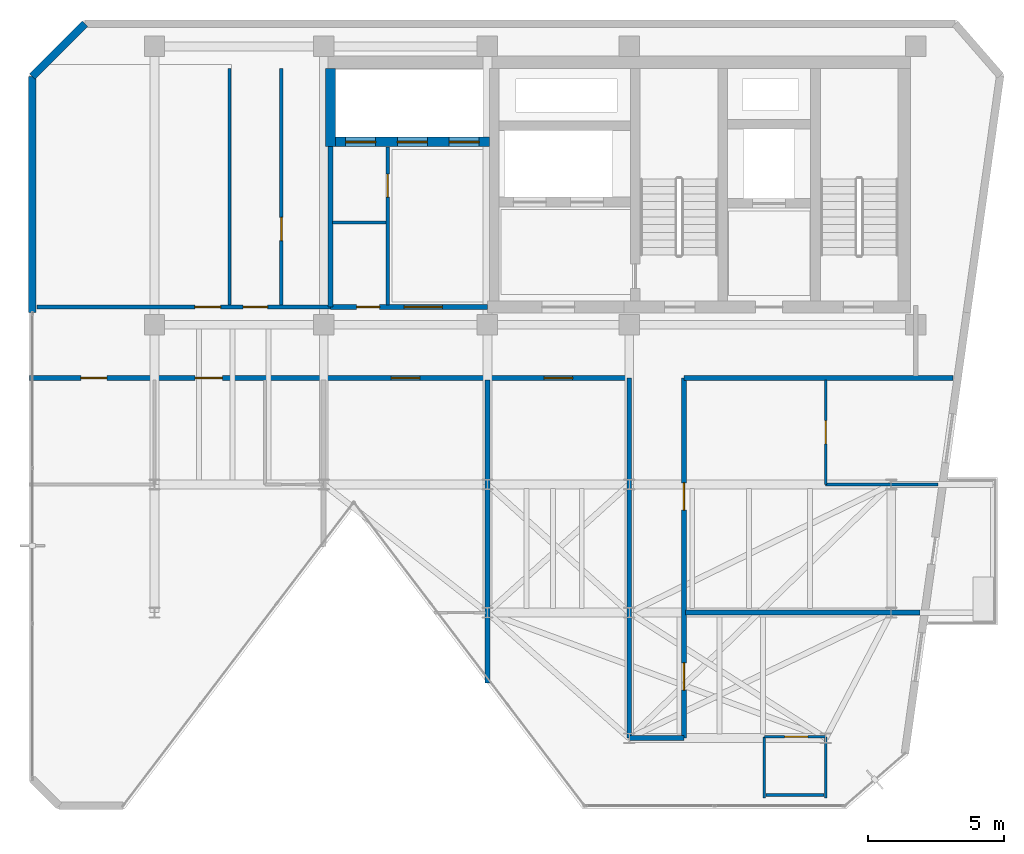
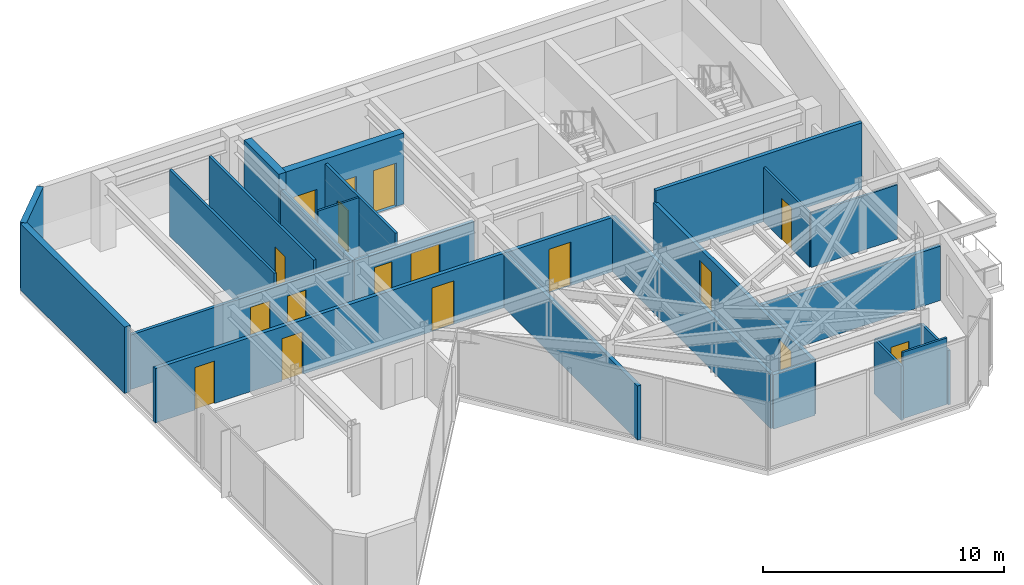
# One storey, part 13 of 16: 24 walls, 17 doors, 17 openings.
"""IFC4 building model written with IfcOpenShell, lengths in metres."""

from ifc_helpers import new_model, si_unit, direction, frame, frame_2d, origin, place, context, subcontext, project, spatial, rectangle, extrude, material, layer, layer_set, type_object, element, fill, save


model = new_model("IFC4")

# Units and contexts
model_context = context("Model", 3, precision=1e-05, world=origin(), true_north=direction((0.0, 1.0)))
body_context = subcontext(model_context, "Body", "Model", "MODEL_VIEW")
ifc_project = project(units=[si_unit("LENGTHUNIT", "METRE"), si_unit("AREAUNIT", "SQUARE_METRE"), si_unit("VOLUMEUNIT", "CUBIC_METRE"), si_unit("PLANEANGLEUNIT", "RADIAN"), si_unit("MASSUNIT", "GRAM", prefix="KILO")], contexts=[model_context])

# Site, building, storey
site_placement = place(None, origin())
site = spatial("IfcSite", under=ifc_project, at=site_placement, CompositionType="ELEMENT")
building_placement = place(site_placement, origin())
building = spatial("IfcBuilding", under=site, at=building_placement, Name="Kravanh Interchange Tower", CompositionType="ELEMENT")
storey_placement = place(building_placement, frame((0.0, 0.0, 303.89990234375)))
storey = spatial("IfcBuildingStorey", under=building, at=storey_placement, Name="L75", CompositionType="ELEMENT", Elevation=303.89990234375)

# Wall, opening, door
ifc_material_1 = material(Name="Double Acoustic Gypsum Board and Mineral Wool")
ifc_layer_1 = layer(ifc_material_1, 0.1201171875)
ifc_layer_set_1 = layer_set([ifc_layer_1], Name="Acoustic Office Drywall Partition 120mm")
wall_type_1 = type_object("IfcWallType", Name="Acoustic Office Drywall Partition 120mm", PredefinedType="PARTITIONING", material=ifc_layer_set_1)
wall_1_placement = place(storey_placement, frame((47.14990234375, 38.068115234375, 0.0), z_axis=(0.0, 0.0, 1.0), x_axis=(0.0, 1.0, 0.0)))
wall_1 = element("IfcWall", 1, at=wall_1_placement, inside=storey, type_object=wall_type_1, Name="L75 Interior Partition 2", PredefinedType="PARTITIONING", context=body_context, shape_type="SweptSolid", body=[
    extrude(rectangle(XDim=5.798828125, YDim=0.1201171875, at=frame_2d((2.8994140625, 0.0))), origin(), (0.0, 0.0, 1.0), 3.364990234375),
])
opening_1_placement = place(wall_1_placement, frame((3.95703125, 0.0, 0.0)))
opening_1 = element("IfcOpeningElement", 2, at=opening_1_placement, cuts=wall_1, Name="Opening D-85", PredefinedType="OPENING", context=body_context, shape_type="SweptSolid", body=[
    extrude(rectangle(XDim=0.85009765625, YDim=2.10009765625, at=frame_2d((0.425048828125, 1.050048828125))), frame((0.0, 0.070068359375, 0.0), z_axis=(0.0, -1.0, 0.0), x_axis=(1.0, 0.0, 0.0)), (0.0, 0.0, 1.0), 0.14013671875),
])
ifc_material_2 = material(Name="Engineered Teak Veneer Timber", Category="wood")
door_type_1 = type_object("IfcDoorType", Name="En-Suite Timber Door 850x2100", OperationType="NOTDEFINED", PredefinedType="DOOR", material=ifc_material_2)
door_1_placement = place(opening_1_placement, origin())
door_1 = element("IfcDoor", 3, at=door_1_placement, inside=storey, type_object=door_type_1, Name="L75 Core Valet Store Door", OperationType="SINGLE_SWING_LEFT", OverallHeight=2.10009765625, OverallWidth=0.85009765625, PredefinedType="DOOR", context=body_context, shape_type="SweptSolid", body=[
    extrude(rectangle(XDim=0.85009765625, YDim=2.10009765625, at=frame_2d((0.425048828125, 1.050048828125))), frame((0.0, 0.02490234375, 0.0), z_axis=(0.0, -1.0, 0.0), x_axis=(1.0, 0.0, 0.0)), (0.0, 0.0, 1.0), 0.050048828125),
])
fill(opening_1, door_1)

# Wall
wall_2_placement = place(storey_placement, frame((41.35009765625, 38.068115234375, 0.0), z_axis=(0.0, 0.0, 1.0), x_axis=(0.0, 1.0, 0.0)))
element("IfcWall", 4, at=wall_2_placement, inside=storey, type_object=wall_type_1, Name="L75 Interior Partition 7", PredefinedType="PARTITIONING", context=body_context, shape_type="SweptSolid", body=[
    extrude(rectangle(XDim=8.681884765625, YDim=0.1201171875, at=frame_2d((4.3408203125, 0.0))), origin(), (0.0, 0.0, 1.0), 3.364990234375),
])

# Wall, opening, door
wall_3_placement = place(storey_placement, frame((43.25, 38.068115234375, 0.0), z_axis=(0.0, 0.0, 1.0), x_axis=(0.0, 1.0, 0.0)))
wall_3 = element("IfcWall", 5, at=wall_3_placement, inside=storey, type_object=wall_type_1, Name="L75 Interior Partition 8", PredefinedType="PARTITIONING", context=body_context, shape_type="SweptSolid", body=[
    extrude(rectangle(XDim=8.681884765625, YDim=0.1201171875, at=frame_2d((4.3408203125, 0.0))), origin(), (0.0, 0.0, 1.0), 3.364990234375),
])
opening_2_placement = place(wall_3_placement, frame((2.365966796875, 0.0, 0.0)))
opening_2 = element("IfcOpeningElement", 6, at=opening_2_placement, cuts=wall_3, Name="Opening D-85", PredefinedType="OPENING", context=body_context, shape_type="SweptSolid", body=[
    extrude(rectangle(XDim=0.85009765625, YDim=2.10009765625, at=frame_2d((0.425048828125, 1.050048828125))), frame((0.0, 0.070068359375, 0.0), z_axis=(0.0, -1.0, 0.0), x_axis=(1.0, 0.0, 0.0)), (0.0, 0.0, 1.0), 0.14013671875),
])
door_2_placement = place(opening_2_placement, origin())
door_2 = element("IfcDoor", 7, at=door_2_placement, inside=storey, type_object=door_type_1, Name="L75 Pantry Store Inner Door", OperationType="SINGLE_SWING_RIGHT", OverallHeight=2.10009765625, OverallWidth=0.85009765625, PredefinedType="DOOR", context=body_context, shape_type="SweptSolid", body=[
    extrude(rectangle(XDim=0.85009765625, YDim=2.10009765625, at=frame_2d((0.425048828125, 1.050048828125))), frame((0.0, 0.02490234375, 0.0), z_axis=(0.0, -1.0, 0.0), x_axis=(1.0, 0.0, 0.0)), (0.0, 0.0, 1.0), 0.050048828125),
])
fill(opening_2, door_2)

# Wall, openings, doors
ifc_material_3 = material(Name="Concrete C60/75", Category="concrete")
ifc_layer_2 = layer(ifc_material_3, 0.35009765625)
ifc_layer_set_2 = layer_set([ifc_layer_2], Name="Core Shear Wall Concrete C60/75 350mm")
wall_type_2 = type_object("IfcWallType", Name="Core Shear Wall Concrete C60/75 350mm", PredefinedType="SHEAR", material=ifc_layer_set_2)
wall_4_placement = place(storey_placement, frame((45.22509765625, 44.050048828125, 0.0), z_axis=(0.0, 0.0, 1.0), x_axis=(1.0, 0.0, 0.0)))
wall_4 = element("IfcWall", 8, at=wall_4_placement, inside=storey, type_object=wall_type_2, Name="L75 High-Rise Lift Shaft South Wall", PredefinedType="SHEAR", context=body_context, shape_type="SweptSolid", body=[
    extrude(rectangle(XDim=5.64990234375, YDim=0.35009765625, at=frame_2d((2.824951171875, 0.0))), origin(), (0.0, 0.0, 1.0), 3.60009765625),
])
opening_3_placement = place(wall_4_placement, frame((0.375, 0.0, 0.0)))
opening_3 = element("IfcOpeningElement", 9, at=opening_3_placement, cuts=wall_4, Name="Opening LD01", PredefinedType="OPENING", context=body_context, shape_type="SweptSolid", body=[
    extrude(rectangle(XDim=1.10009765625, YDim=2.199951171875, at=frame_2d((0.550048828125, 1.10009765625))), frame((0.0, 0.18505859375, 0.0), z_axis=(0.0, -1.0, 0.0), x_axis=(1.0, 0.0, 0.0)), (0.0, 0.0, 1.0), 0.3701171875),
])
opening_4_placement = place(wall_4_placement, frame((2.27490234375, 0.0, 0.0)))
opening_4 = element("IfcOpeningElement", 10, at=opening_4_placement, cuts=wall_4, Name="Opening LD01", PredefinedType="OPENING", context=body_context, shape_type="SweptSolid", body=[
    extrude(rectangle(XDim=1.10009765625, YDim=2.199951171875, at=frame_2d((0.550048828125, 1.10009765625))), frame((0.0, 0.18505859375, 0.0), z_axis=(0.0, -1.0, 0.0), x_axis=(1.0, 0.0, 0.0)), (0.0, 0.0, 1.0), 0.3701171875),
])
opening_5_placement = place(wall_4_placement, frame((4.175048828125, 0.0, 0.0)))
opening_5 = element("IfcOpeningElement", 11, at=opening_5_placement, cuts=wall_4, Name="Opening LD01", PredefinedType="OPENING", context=body_context, shape_type="SweptSolid", body=[
    extrude(rectangle(XDim=1.10009765625, YDim=2.199951171875, at=frame_2d((0.550048828125, 1.10009765625))), frame((0.0, 0.18505859375, 0.0), z_axis=(0.0, -1.0, 0.0), x_axis=(1.0, 0.0, 0.0)), (0.0, 0.0, 1.0), 0.3701171875),
])
ifc_material_4 = material(Name="Stainless Steel 304", Category="steel")
door_type_2 = type_object("IfcDoorType", Name="Passenger Lift Sliding Landing Door 1100x2200", OperationType="DOUBLE_DOOR_SLIDING", PredefinedType="DOOR", material=ifc_material_4)
door_3_placement = place(opening_3_placement, origin())
door_3 = element("IfcDoor", 12, at=door_3_placement, inside=storey, type_object=door_type_2, Name="L75 Lift LP-H1 Landing Door", OperationType="DOUBLE_DOOR_SLIDING", OverallHeight=2.199951171875, OverallWidth=1.10009765625, PredefinedType="DOOR", context=body_context, shape_type="SweptSolid", body=[
    extrude(rectangle(XDim=1.10009765625, YDim=2.199951171875, at=frame_2d((0.550048828125, 1.10009765625))), frame((0.0, 0.02490234375, 0.0), z_axis=(0.0, -1.0, 0.0), x_axis=(1.0, 0.0, 0.0)), (0.0, 0.0, 1.0), 0.050048828125),
])
fill(opening_3, door_3)
door_4_placement = place(opening_4_placement, origin())
door_4 = element("IfcDoor", 13, at=door_4_placement, inside=storey, type_object=door_type_2, Name="L75 Lift LP-H2 Landing Door", OperationType="DOUBLE_DOOR_SLIDING", OverallHeight=2.199951171875, OverallWidth=1.10009765625, PredefinedType="DOOR", context=body_context, shape_type="SweptSolid", body=[
    extrude(rectangle(XDim=1.10009765625, YDim=2.199951171875, at=frame_2d((0.550048828125, 1.10009765625))), frame((0.0, 0.02490234375, 0.0), z_axis=(0.0, -1.0, 0.0), x_axis=(1.0, 0.0, 0.0)), (0.0, 0.0, 1.0), 0.050048828125),
])
fill(opening_4, door_4)
door_5_placement = place(opening_5_placement, origin())
door_5 = element("IfcDoor", 14, at=door_5_placement, inside=storey, type_object=door_type_2, Name="L75 Lift LP-H3 Landing Door", OperationType="DOUBLE_DOOR_SLIDING", OverallHeight=2.199951171875, OverallWidth=1.10009765625, PredefinedType="DOOR", context=body_context, shape_type="SweptSolid", body=[
    extrude(rectangle(XDim=1.10009765625, YDim=2.199951171875, at=frame_2d((0.550048828125, 1.10009765625))), frame((0.0, 0.02490234375, 0.0), z_axis=(0.0, -1.0, 0.0), x_axis=(1.0, 0.0, 0.0)), (0.0, 0.0, 1.0), 0.050048828125),
])
fill(opening_5, door_5)

# Walls
wall_5_placement = place(storey_placement, frame((45.050048828125, 43.875, 0.0), z_axis=(0.0, 0.0, 1.0), x_axis=(0.0, 1.0, 0.0)))
element("IfcWall", 15, at=wall_5_placement, inside=storey, type_object=wall_type_2, Name="L75 High-Rise Lift Shaft West Wall", PredefinedType="SHEAR", context=body_context, shape_type="SweptSolid", body=[
    extrude(rectangle(XDim=2.875, YDim=0.35009765625, at=frame_2d((1.4375, 0.0))), origin(), (0.0, 0.0, 1.0), 3.60009765625),
])
ifc_material_5 = material(Name="Moisture-Resistant Gypsum Board and Mineral Wool")
ifc_layer_3 = layer(ifc_material_5, 0.10009765625)
ifc_layer_set_3 = layer_set([ifc_layer_3], Name="En-Suite Moisture-Resistant Partition 100mm")
wall_type_3 = type_object("IfcWallType", Name="En-Suite Moisture-Resistant Partition 100mm", PredefinedType="PARTITIONING", material=ifc_layer_set_3)
wall_6_placement = place(storey_placement, frame((45.117919921875, 41.10009765625, 0.0), z_axis=(0.0, 0.0, 1.0), x_axis=(1.0, 0.0, 0.0)))
element("IfcWall", 16, at=wall_6_placement, inside=storey, type_object=wall_type_3, Name="L75 Interior Partition 3", PredefinedType="PARTITIONING", context=body_context, shape_type="SweptSolid", body=[
    extrude(rectangle(XDim=1.964111328125, YDim=0.10009765625, at=frame_2d((0.98193359375, 0.0))), origin(), (0.0, 0.0, 1.0), 3.364990234375),
])

# Wall, opening, door
wall_7_placement = place(storey_placement, frame((60.949951171875, 22.25, 0.0), z_axis=(0.0, 0.0, 1.0), x_axis=(1.0, 0.0, 0.0)))
wall_7 = element("IfcWall", 17, at=wall_7_placement, inside=storey, type_object=wall_type_3, Name="L75 Interior Partition 18", PredefinedType="PARTITIONING", context=body_context, shape_type="SweptSolid", body=[
    extrude(rectangle(XDim=2.25, YDim=0.10009765625, at=frame_2d((1.125, 0.0))), origin(), (0.0, 0.0, 1.0), 2.754150390625),
])
opening_6_placement = place(wall_7_placement, frame((0.741455078125, 0.0, 0.0)))
opening_6 = element("IfcOpeningElement", 18, at=opening_6_placement, cuts=wall_7, Name="Opening D-85", PredefinedType="OPENING", context=body_context, shape_type="SweptSolid", body=[
    extrude(rectangle(XDim=0.85009765625, YDim=2.10009765625, at=frame_2d((0.425048828125, 1.050048828125))), frame((0.0, 0.06005859375, 0.0), z_axis=(0.0, -1.0, 0.0), x_axis=(1.0, 0.0, 0.0)), (0.0, 0.0, 1.0), 0.1201171875),
])
door_6_placement = place(opening_6_placement, origin())
door_6 = element("IfcDoor", 19, at=door_6_placement, inside=storey, type_object=door_type_1, Name="L75 En-suite Bathroom Door", OperationType="SINGLE_SWING_LEFT", OverallHeight=2.10009765625, OverallWidth=0.85009765625, PredefinedType="DOOR", context=body_context, shape_type="SweptSolid", body=[
    extrude(rectangle(XDim=0.85009765625, YDim=2.10009765625, at=frame_2d((0.425048828125, 1.050048828125))), frame((0.0, 0.02490234375, 0.0), z_axis=(0.0, -1.0, 0.0), x_axis=(1.0, 0.0, 0.0)), (0.0, 0.0, 1.0), 0.050048828125),
])
fill(opening_6, door_6)

# Walls
for number, where, z_axis, x_axis, name in (
    (20, (60.949951171875, 20.0, 0.0), (0.0, 0.0, 1.0), (0.0, 1.0, 0.0), "L75 Interior Partition 19"),
    (21, (63.199951171875, 20.0, 0.0), (0.0, 0.0, 1.0), (0.0, 1.0, 0.0), "L75 Interior Partition 20"),
):
    element("IfcWall", number, at=place(storey_placement, frame(where, z_axis=z_axis, x_axis=x_axis)), inside=storey, type_object=wall_type_3, Name=name, PredefinedType="PARTITIONING", context=body_context, shape_type="SweptSolid", body=[
        extrude(rectangle(XDim=2.25, YDim=0.10009765625, at=frame_2d((1.125, 0.0))), origin(), (0.0, 0.0, 1.0), 2.754150390625),
    ])
wall_8_placement = place(storey_placement, frame((61.01806640625, 20.1201171875, 0.0), z_axis=(0.0, 0.0, 1.0), x_axis=(1.0, 0.0, 0.0)))
element("IfcWall", 22, at=wall_8_placement, inside=storey, type_object=wall_type_3, Name="L75 Interior Partition 21", PredefinedType="PARTITIONING", context=body_context, shape_type="SweptSolid", body=[
    extrude(rectangle(XDim=2.114013671875, YDim=0.10009765625, at=frame_2d((1.05712890625, 0.0))), origin(), (0.0, 0.0, 1.0), 3.364990234375),
])
wall_9_placement = place(storey_placement, frame((63.199951171875, 31.5, 0.0), z_axis=(0.0, 0.0, 1.0), x_axis=(1.0, 0.0, 0.0)))
element("IfcWall", 23, at=wall_9_placement, inside=storey, type_object=wall_type_3, Name="L75 Interior Partition 22", PredefinedType="PARTITIONING", context=body_context, shape_type="SweptSolid", body=[
    extrude(rectangle(XDim=4.123046875, YDim=0.10009765625, at=frame_2d((2.0615234375, 0.0))), origin(), (0.0, 0.0, 1.0), 2.754150390625),
])

# Wall, opening, door
wall_10_placement = place(storey_placement, frame((63.199951171875, 31.5, 0.0), z_axis=(0.0, 0.0, 1.0), x_axis=(0.0, 1.0, 0.0)))
wall_10 = element("IfcWall", 24, at=wall_10_placement, inside=storey, type_object=wall_type_3, Name="L75 Interior Partition 23", PredefinedType="PARTITIONING", context=body_context, shape_type="SweptSolid", body=[
    extrude(rectangle(XDim=3.83203125, YDim=0.10009765625, at=frame_2d((1.916015625, 0.0))), origin(), (0.0, 0.0, 1.0), 2.754150390625),
])
opening_7_placement = place(wall_10_placement, frame((1.48486328125, 0.0, 0.0)))
opening_7 = element("IfcOpeningElement", 25, at=opening_7_placement, cuts=wall_10, Name="Opening D-85", PredefinedType="OPENING", context=body_context, shape_type="SweptSolid", body=[
    extrude(rectangle(XDim=0.85009765625, YDim=2.10009765625, at=frame_2d((0.425048828125, 1.050048828125))), frame((0.0, 0.06005859375, 0.0), z_axis=(0.0, -1.0, 0.0), x_axis=(1.0, 0.0, 0.0)), (0.0, 0.0, 1.0), 0.1201171875),
])
door_7_placement = place(opening_7_placement, origin())
door_7 = element("IfcDoor", 26, at=door_7_placement, inside=storey, type_object=door_type_1, Name="L75 En-suite Bathroom Door", OperationType="SINGLE_SWING_LEFT", OverallHeight=2.10009765625, OverallWidth=0.85009765625, PredefinedType="DOOR", context=body_context, shape_type="SweptSolid", body=[
    extrude(rectangle(XDim=0.85009765625, YDim=2.10009765625, at=frame_2d((0.425048828125, 1.050048828125))), frame((0.0, 0.02490234375, 0.0), z_axis=(0.0, -1.0, 0.0), x_axis=(1.0, 0.0, 0.0)), (0.0, 0.0, 1.0), 0.050048828125),
])
fill(opening_7, door_7)

# Walls
ifc_material_6 = material(Name="Insulated Precast Concrete C40/50 with Bronze Cladding", Category="concrete")
ifc_layer_4 = layer(ifc_material_6, 0.280029296875)
ifc_layer_set_4 = layer_set([ifc_layer_4], Name="Exterior Insulated Concrete C40/50 Bronze Spandrel Wall 280mm")
wall_type_4 = type_object("IfcWallType", Name="Exterior Insulated Concrete C40/50 Bronze Spandrel Wall 280mm", PredefinedType="STANDARD", material=ifc_layer_set_4)
wall_11_placement = place(storey_placement, frame((34.1201171875, 37.800048828125, 0.0), z_axis=(0.0, 0.0, 1.0), x_axis=(0.0, 1.0, 0.0)))
element("IfcWall", 27, at=wall_11_placement, inside=storey, type_object=wall_type_4, Name="L75 Exterior Wall 1", PredefinedType="STANDARD", context=body_context, shape_type="SweptSolid", body=[
    extrude(rectangle(XDim=8.650146484375, YDim=0.280029296875, at=frame_2d((4.3251953125, 0.0))), origin(), (0.0, 0.0, 1.0), 3.364990234375),
])
wall_12_placement = place(storey_placement, frame((34.1201171875, 46.4501953125, 0.0), z_axis=(0.0, 0.0, 1.0), x_axis=(0.707106781187, 0.707106781187, 0.0)))
element("IfcWall", 28, at=wall_12_placement, inside=storey, type_object=wall_type_4, Name="L75 Exterior Wall 2", PredefinedType="STANDARD", context=body_context, shape_type="SweptSolid", body=[
    extrude(rectangle(XDim=2.72900390625, YDim=0.280029296875, at=frame_2d((1.364501953125, 0.0))), origin(), (0.0, 0.0, 1.0), 3.364990234375),
])

# Wall, openings, doors
ifc_material_7 = material(Name="Autoclaved Aerated Concrete C30/37 Blockwork", Category="masonry")
ifc_layer_5 = layer(ifc_material_7, 0.179931640625)
ifc_layer_set_5 = layer_set([ifc_layer_5], Name="Fire-Rated Lobby and Corridor Wall Concrete C30/37 180mm")
wall_type_5 = type_object("IfcWallType", Name="Fire-Rated Lobby and Corridor Wall Concrete C30/37 180mm", PredefinedType="STANDARD", material=ifc_layer_set_5)
wall_13_placement = place(storey_placement, frame((45.050048828125, 38.0, 0.0), z_axis=(0.0, 0.0, 1.0), x_axis=(1.0, 0.0, 0.0)))
wall_13 = element("IfcWall", 29, at=wall_13_placement, inside=storey, type_object=wall_type_5, Name="L75 High-Rise Lift Lobby Wall 1", PredefinedType="STANDARD", context=body_context, shape_type="SweptSolid", body=[
    extrude(rectangle(XDim=5.75, YDim=0.179931640625, at=frame_2d((2.875, 0.0))), origin(), (0.0, 0.0, 1.0), 2.754150390625),
])
opening_8_placement = place(wall_13_placement, frame((0.9541015625, 0.0, 0.0)))
opening_8 = element("IfcOpeningElement", 30, at=opening_8_placement, cuts=wall_13, Name="Opening D-85", PredefinedType="OPENING", context=body_context, shape_type="SweptSolid", body=[
    extrude(rectangle(XDim=0.85009765625, YDim=2.10009765625, at=frame_2d((0.425048828125, 1.050048828125))), frame((0.0, 0.10009765625, 0.0), z_axis=(0.0, -1.0, 0.0), x_axis=(1.0, 0.0, 0.0)), (0.0, 0.0, 1.0), 0.199951171875),
])
opening_9_placement = place(wall_13_placement, frame((2.699951171875, 0.0, 0.0)))
opening_9 = element("IfcOpeningElement", 31, at=opening_9_placement, cuts=wall_13, Name="Opening DBL-140", PredefinedType="OPENING", context=body_context, shape_type="SweptSolid", body=[
    extrude(rectangle(XDim=1.39990234375, YDim=2.199951171875, at=frame_2d((0.699951171875, 1.10009765625))), frame((0.0, 0.10009765625, 0.0), z_axis=(0.0, -1.0, 0.0), x_axis=(1.0, 0.0, 0.0)), (0.0, 0.0, 1.0), 0.199951171875),
])
door_8_placement = place(opening_8_placement, origin())
door_8 = element("IfcDoor", 32, at=door_8_placement, inside=storey, type_object=door_type_1, Name="L75 Core Housekeeping Utility Door", OperationType="SINGLE_SWING_RIGHT", OverallHeight=2.10009765625, OverallWidth=0.85009765625, PredefinedType="DOOR", context=body_context, shape_type="SweptSolid", body=[
    extrude(rectangle(XDim=0.85009765625, YDim=2.10009765625, at=frame_2d((0.425048828125, 1.050048828125))), frame((0.0, 0.02490234375, 0.0), z_axis=(0.0, -1.0, 0.0), x_axis=(1.0, 0.0, 0.0)), (0.0, 0.0, 1.0), 0.050048828125),
])
fill(opening_8, door_8)
ifc_material_8 = material(Name="Acoustic Bronze-Framed Glass", Category="glass")
door_type_3 = type_object("IfcDoorType", Name="Hospitality Lounge Double Door 1400x2200", OperationType="DOUBLE_DOOR_SINGLE_SWING", PredefinedType="DOOR", material=ifc_material_8)
door_9_placement = place(opening_9_placement, origin())
door_9 = element("IfcDoor", 33, at=door_9_placement, inside=storey, type_object=door_type_3, Name="L75 High-Rise Lift Lobby Door", OperationType="DOUBLE_DOOR_SINGLE_SWING", OverallHeight=2.199951171875, OverallWidth=1.39990234375, PredefinedType="DOOR", context=body_context, shape_type="SweptSolid", body=[
    extrude(rectangle(XDim=1.39990234375, YDim=2.199951171875, at=frame_2d((0.699951171875, 1.10009765625))), frame((0.0, 0.02490234375, 0.0), z_axis=(0.0, -1.0, 0.0), x_axis=(1.0, 0.0, 0.0)), (0.0, 0.0, 1.0), 0.050048828125),
])
fill(opening_9, door_9)

# Wall
wall_14_placement = place(storey_placement, frame((45.050048828125, 38.0, 0.0), z_axis=(0.0, 0.0, 1.0), x_axis=(0.0, 1.0, 0.0)))
element("IfcWall", 34, at=wall_14_placement, inside=storey, type_object=wall_type_5, Name="L75 Interior Partition 4", PredefinedType="STANDARD", context=body_context, shape_type="SweptSolid", body=[
    extrude(rectangle(XDim=5.875, YDim=0.179931640625, at=frame_2d((2.9375, 0.0))), origin(), (0.0, 0.0, 1.0), 2.754150390625),
])

# Wall, openings, doors
wall_15_placement = place(storey_placement, frame((34.014892578125, 35.39990234375, 0.0), z_axis=(0.0, 0.0, 1.0), x_axis=(1.0, 0.0, 0.0)))
wall_15 = element("IfcWall", 35, at=wall_15_placement, inside=storey, type_object=wall_type_5, Name="L75 Interior Partition 9", PredefinedType="STANDARD", context=body_context, shape_type="SweptSolid", body=[
    extrude(rectangle(XDim=21.985107421875, YDim=0.179931640625, at=frame_2d((10.99267578125, 0.0))), origin(), (0.0, 0.0, 1.0), 2.754150390625),
])
opening_10_placement = place(wall_15_placement, frame((1.889892578125, 0.0, 0.0)))
opening_10 = element("IfcOpeningElement", 36, at=opening_10_placement, cuts=wall_15, Name="Opening D-95", PredefinedType="OPENING", context=body_context, shape_type="SweptSolid", body=[
    extrude(rectangle(XDim=0.949951171875, YDim=2.14990234375, at=frame_2d((0.47509765625, 1.074951171875))), frame((0.0, 0.10009765625, 0.0), z_axis=(0.0, -1.0, 0.0), x_axis=(1.0, 0.0, 0.0)), (0.0, 0.0, 1.0), 0.199951171875),
])
opening_11_placement = place(wall_15_placement, frame((6.06982421875, 0.0, 0.0)))
opening_11 = element("IfcOpeningElement", 37, at=opening_11_placement, cuts=wall_15, Name="Opening D-HOTEL-100", PredefinedType="OPENING", context=body_context, shape_type="SweptSolid", body=[
    extrude(rectangle(XDim=1.0, YDim=2.14990234375, at=frame_2d((0.5, 1.074951171875))), frame((0.0, 0.10009765625, 0.0), z_axis=(0.0, -1.0, 0.0), x_axis=(1.0, 0.0, 0.0)), (0.0, 0.0, 1.0), 0.199951171875),
])
opening_12_placement = place(wall_15_placement, frame((13.260009765625, 0.0, 0.0)))
opening_12 = element("IfcOpeningElement", 38, at=opening_12_placement, cuts=wall_15, Name="Opening D-105", PredefinedType="OPENING", context=body_context, shape_type="SweptSolid", body=[
    extrude(rectangle(XDim=1.050048828125, YDim=2.199951171875, at=frame_2d((0.52490234375, 1.10009765625))), frame((0.0, 0.10009765625, 0.0), z_axis=(0.0, -1.0, 0.0), x_axis=(1.0, 0.0, 0.0)), (0.0, 0.0, 1.0), 0.199951171875),
])
opening_13_placement = place(wall_15_placement, frame((18.860107421875, 0.0, 0.0)))
opening_13 = element("IfcOpeningElement", 39, at=opening_13_placement, cuts=wall_15, Name="Opening D-105", PredefinedType="OPENING", context=body_context, shape_type="SweptSolid", body=[
    extrude(rectangle(XDim=1.050048828125, YDim=2.199951171875, at=frame_2d((0.52490234375, 1.10009765625))), frame((0.0, 0.10009765625, 0.0), z_axis=(0.0, -1.0, 0.0), x_axis=(1.0, 0.0, 0.0)), (0.0, 0.0, 1.0), 0.199951171875),
])
ifc_material_9 = material(Name="Laminate Solid-Core Timber", Category="wood")
door_type_4 = type_object("IfcDoorType", Name="Accessible Restroom Door 950x2150", OperationType="NOTDEFINED", PredefinedType="DOOR", material=ifc_material_9)
door_10_placement = place(opening_10_placement, origin())
door_10 = element("IfcDoor", 40, at=door_10_placement, inside=storey, type_object=door_type_4, Name="L75 Accessible WC Door", OperationType="SINGLE_SWING_LEFT", OverallHeight=2.14990234375, OverallWidth=0.949951171875, PredefinedType="DOOR", context=body_context, shape_type="SweptSolid", body=[
    extrude(rectangle(XDim=0.949951171875, YDim=2.14990234375, at=frame_2d((0.47509765625, 1.074951171875))), frame((0.0, 0.02490234375, 0.0), z_axis=(0.0, -1.0, 0.0), x_axis=(1.0, 0.0, 0.0)), (0.0, 0.0, 1.0), 0.050048828125),
])
fill(opening_10, door_10)
ifc_material_10 = material(Name="Fire-Rated Solid Timber Leaf", Category="wood")
door_type_5 = type_object("IfcDoorType", Name="Fire-Rated Suite Entrance Door 1000x2150", OperationType="NOTDEFINED", PredefinedType="DOOR", material=ifc_material_10)
door_11_placement = place(opening_11_placement, origin())
door_11 = element("IfcDoor", 41, at=door_11_placement, inside=storey, type_object=door_type_5, Name="L75 Royal Mekong Hotel Suite Entrance Door", OperationType="SINGLE_SWING_RIGHT", OverallHeight=2.14990234375, OverallWidth=1.0, PredefinedType="DOOR", context=body_context, shape_type="SweptSolid", body=[
    extrude(rectangle(XDim=1.0, YDim=2.14990234375, at=frame_2d((0.5, 1.074951171875))), frame((0.0, 0.02490234375, 0.0), z_axis=(0.0, -1.0, 0.0), x_axis=(1.0, 0.0, 0.0)), (0.0, 0.0, 1.0), 0.050048828125),
])
fill(opening_11, door_11)
ifc_material_11 = material(Name="Acoustic Glazed Oak and Aluminium", Category="aluminium")
door_type_6 = type_object("IfcDoorType", Name="Office Workplace Door 1050x2200", OperationType="NOTDEFINED", PredefinedType="DOOR", material=ifc_material_11)
door_12_placement = place(opening_12_placement, origin())
door_12 = element("IfcDoor", 42, at=door_12_placement, inside=storey, type_object=door_type_6, Name="L75 Private Boardroom 8A Door", OperationType="SINGLE_SWING_LEFT", OverallHeight=2.199951171875, OverallWidth=1.050048828125, PredefinedType="DOOR", context=body_context, shape_type="SweptSolid", body=[
    extrude(rectangle(XDim=1.050048828125, YDim=2.199951171875, at=frame_2d((0.52490234375, 1.10009765625))), frame((0.0, 0.02490234375, 0.0), z_axis=(0.0, -1.0, 0.0), x_axis=(1.0, 0.0, 0.0)), (0.0, 0.0, 1.0), 0.050048828125),
])
fill(opening_12, door_12)
door_13_placement = place(opening_13_placement, origin())
door_13 = element("IfcDoor", 43, at=door_13_placement, inside=storey, type_object=door_type_6, Name="L75 Seminar Meeting 8B Door", OperationType="SINGLE_SWING_RIGHT", OverallHeight=2.199951171875, OverallWidth=1.050048828125, PredefinedType="DOOR", context=body_context, shape_type="SweptSolid", body=[
    extrude(rectangle(XDim=1.050048828125, YDim=2.199951171875, at=frame_2d((0.52490234375, 1.10009765625))), frame((0.0, 0.02490234375, 0.0), z_axis=(0.0, -1.0, 0.0), x_axis=(1.0, 0.0, 0.0)), (0.0, 0.0, 1.0), 0.050048828125),
])
fill(opening_13, door_13)

# Walls
wall_16_placement = place(storey_placement, frame((58.0, 35.39990234375, 0.0), z_axis=(0.0, 0.0, 1.0), x_axis=(1.0, 0.0, 0.0)))
element("IfcWall", 44, at=wall_16_placement, inside=storey, type_object=wall_type_5, Name="L75 Interior Partition 10", PredefinedType="STANDARD", context=body_context, shape_type="SweptSolid", body=[
    extrude(rectangle(XDim=9.87109375, YDim=0.179931640625, at=frame_2d((4.935546875, 0.0))), origin(), (0.0, 0.0, 1.0), 3.364990234375),
])
wall_17_placement = place(storey_placement, frame((56.0, 22.199951171875, 0.0), z_axis=(0.0, 0.0, 1.0), x_axis=(0.0, 1.0, 0.0)))
element("IfcWall", 45, at=wall_17_placement, inside=storey, type_object=wall_type_5, Name="L75 Interior Partition 12", PredefinedType="STANDARD", context=body_context, shape_type="SweptSolid", body=[
    extrude(rectangle(XDim=13.199951171875, YDim=0.179931640625, at=frame_2d((6.60009765625, 0.0))), origin(), (0.0, 0.0, 1.0), 2.754150390625),
])

# Wall, openings, doors
wall_18_placement = place(storey_placement, frame((58.0, 22.199951171875, 0.0), z_axis=(0.0, 0.0, 1.0), x_axis=(0.0, 1.0, 0.0)))
wall_18 = element("IfcWall", 46, at=wall_18_placement, inside=storey, type_object=wall_type_5, Name="L75 Interior Partition 13", PredefinedType="STANDARD", context=body_context, shape_type="SweptSolid", body=[
    extrude(rectangle(XDim=13.199951171875, YDim=0.179931640625, at=frame_2d((6.60009765625, 0.0))), origin(), (0.0, 0.0, 1.0), 2.754150390625),
])
opening_14_placement = place(wall_18_placement, frame((1.759521484375, 0.0, 0.0)))
opening_14 = element("IfcOpeningElement", 47, at=opening_14_placement, cuts=wall_18, Name="Opening D-HOTEL-100", PredefinedType="OPENING", context=body_context, shape_type="SweptSolid", body=[
    extrude(rectangle(XDim=1.0, YDim=2.14990234375, at=frame_2d((0.5, 1.074951171875))), frame((0.0, 0.10009765625, 0.0), z_axis=(0.0, -1.0, 0.0), x_axis=(1.0, 0.0, 0.0)), (0.0, 0.0, 1.0), 0.199951171875),
])
opening_15_placement = place(wall_18_placement, frame((8.35986328125, 0.0, 0.0)))
opening_15 = element("IfcOpeningElement", 48, at=opening_15_placement, cuts=wall_18, Name="Opening D-HOTEL-100", PredefinedType="OPENING", context=body_context, shape_type="SweptSolid", body=[
    extrude(rectangle(XDim=1.0, YDim=2.14990234375, at=frame_2d((0.5, 1.074951171875))), frame((0.0, 0.10009765625, 0.0), z_axis=(0.0, -1.0, 0.0), x_axis=(1.0, 0.0, 0.0)), (0.0, 0.0, 1.0), 0.199951171875),
])
door_14_placement = place(opening_14_placement, origin())
door_14 = element("IfcDoor", 49, at=door_14_placement, inside=storey, type_object=door_type_5, Name="L75 Corner Panorama Hotel Suite Entrance Door", OperationType="SINGLE_SWING_RIGHT", OverallHeight=2.14990234375, OverallWidth=1.0, PredefinedType="DOOR", context=body_context, shape_type="SweptSolid", body=[
    extrude(rectangle(XDim=1.0, YDim=2.14990234375, at=frame_2d((0.5, 1.074951171875))), frame((0.0, 0.02490234375, 0.0), z_axis=(0.0, -1.0, 0.0), x_axis=(1.0, 0.0, 0.0)), (0.0, 0.0, 1.0), 0.050048828125),
])
fill(opening_14, door_14)
door_15_placement = place(opening_15_placement, origin())
door_15 = element("IfcDoor", 50, at=door_15_placement, inside=storey, type_object=door_type_5, Name="L75 Hotel Guest Room East Entrance Door", OperationType="SINGLE_SWING_RIGHT", OverallHeight=2.14990234375, OverallWidth=1.0, PredefinedType="DOOR", context=body_context, shape_type="SweptSolid", body=[
    extrude(rectangle(XDim=1.0, YDim=2.14990234375, at=frame_2d((0.5, 1.074951171875))), frame((0.0, 0.02490234375, 0.0), z_axis=(0.0, -1.0, 0.0), x_axis=(1.0, 0.0, 0.0)), (0.0, 0.0, 1.0), 0.050048828125),
])
fill(opening_15, door_15)

# Walls
wall_19_placement = place(storey_placement, frame((56.0, 22.199951171875, 0.0), z_axis=(0.0, 0.0, 1.0), x_axis=(1.0, 0.0, 0.0)))
element("IfcWall", 51, at=wall_19_placement, inside=storey, type_object=wall_type_5, Name="L75 Interior Partition 14", PredefinedType="STANDARD", context=body_context, shape_type="SweptSolid", body=[
    extrude(rectangle(XDim=2.0, YDim=0.179931640625, at=frame_2d((1.0, 0.0))), origin(), (0.0, 0.0, 1.0), 2.754150390625),
])
wall_20_placement = place(storey_placement, frame((58.068115234375, 26.800048828125, 0.0), z_axis=(0.0, 0.0, 1.0), x_axis=(1.0, 0.0, 0.0)))
element("IfcWall", 52, at=wall_20_placement, inside=storey, type_object=wall_type_5, Name="L75 Interior Partition 17", PredefinedType="STANDARD", context=body_context, shape_type="SweptSolid", body=[
    extrude(rectangle(XDim=8.594482421875, YDim=0.179931640625, at=frame_2d((4.29736328125, 0.0))), origin(), (0.0, 0.0, 1.0), 2.754150390625),
])
wall_21_placement = place(storey_placement, frame((50.800048828125, 24.22998046875, 0.0), z_axis=(0.0, 0.0, 1.0), x_axis=(0.0, 1.0, 0.0)))
element("IfcWall", 53, at=wall_21_placement, inside=storey, type_object=wall_type_5, Name="L75 Interior Partition 28", PredefinedType="STANDARD", context=body_context, shape_type="SweptSolid", body=[
    extrude(rectangle(XDim=11.10205078125, YDim=0.179931640625, at=frame_2d((5.551025390625, 0.0))), origin(), (0.0, 0.0, 1.0), 2.754150390625),
])

# Wall, openings, doors
ifc_material_12 = material(Name="Twin Stud Acoustic Gypsum Board Wall")
ifc_layer_6 = layer(ifc_material_12, 0.14990234375)
ifc_layer_set_6 = layer_set([ifc_layer_6], Name="Medium-Duty Acoustic Partition 150mm")
wall_type_6 = type_object("IfcWallType", Name="Medium-Duty Acoustic Partition 150mm", PredefinedType="PARTITIONING", material=ifc_layer_set_6)
wall_22_placement = place(storey_placement, frame((34.284912109375, 38.0, 0.0), z_axis=(0.0, 0.0, 1.0), x_axis=(1.0, 0.0, 0.0)))
wall_22 = element("IfcWall", 54, at=wall_22_placement, inside=storey, type_object=wall_type_6, Name="L75 Interior Partition 5", PredefinedType="PARTITIONING", context=body_context, shape_type="SweptSolid", body=[
    extrude(rectangle(XDim=10.76513671875, YDim=0.14990234375, at=frame_2d((5.382568359375, 0.0))), origin(), (0.0, 0.0, 1.0), 2.754150390625),
])
opening_16_placement = place(wall_22_placement, frame((5.7900390625, 0.0, 0.0)))
opening_16 = element("IfcOpeningElement", 55, at=opening_16_placement, cuts=wall_22, Name="Opening D-95", PredefinedType="OPENING", context=body_context, shape_type="SweptSolid", body=[
    extrude(rectangle(XDim=0.949951171875, YDim=2.14990234375, at=frame_2d((0.47509765625, 1.074951171875))), frame((0.0, 0.0849609375, 0.0), z_axis=(0.0, -1.0, 0.0), x_axis=(1.0, 0.0, 0.0)), (0.0, 0.0, 1.0), 0.169921875),
])
opening_17_placement = place(wall_22_placement, frame((7.56494140625, 0.0, 0.0)))
opening_17 = element("IfcOpeningElement", 56, at=opening_17_placement, cuts=wall_22, Name="Opening D-90", PredefinedType="OPENING", context=body_context, shape_type="SweptSolid", body=[
    extrude(rectangle(XDim=0.89990234375, YDim=2.10009765625, at=frame_2d((0.449951171875, 1.050048828125))), frame((0.0, 0.0849609375, 0.0), z_axis=(0.0, -1.0, 0.0), x_axis=(1.0, 0.0, 0.0)), (0.0, 0.0, 1.0), 0.169921875),
])
door_16_placement = place(opening_16_placement, origin())
door_16 = element("IfcDoor", 57, at=door_16_placement, inside=storey, type_object=door_type_4, Name="L75 North Library Lounge Door", OperationType="SINGLE_SWING_RIGHT", OverallHeight=2.14990234375, OverallWidth=0.949951171875, PredefinedType="DOOR", context=body_context, shape_type="SweptSolid", body=[
    extrude(rectangle(XDim=0.949951171875, YDim=2.14990234375, at=frame_2d((0.47509765625, 1.074951171875))), frame((0.0, 0.02490234375, 0.0), z_axis=(0.0, -1.0, 0.0), x_axis=(1.0, 0.0, 0.0)), (0.0, 0.0, 1.0), 0.050048828125),
])
fill(opening_16, door_16)
ifc_material_13 = material(Name="Painted Solid-Core Timber", Category="wood")
door_type_7 = type_object("IfcDoorType", Name="Service Room Door 900x2100", OperationType="NOTDEFINED", PredefinedType="DOOR", material=ifc_material_13)
door_17_placement = place(opening_17_placement, origin())
door_17 = element("IfcDoor", 58, at=door_17_placement, inside=storey, type_object=door_type_7, Name="L75 Housekeeping Room Door", OperationType="SINGLE_SWING_LEFT", OverallHeight=2.10009765625, OverallWidth=0.89990234375, PredefinedType="DOOR", context=body_context, shape_type="SweptSolid", body=[
    extrude(rectangle(XDim=0.89990234375, YDim=2.10009765625, at=frame_2d((0.449951171875, 1.050048828125))), frame((0.0, 0.02490234375, 0.0), z_axis=(0.0, -1.0, 0.0), x_axis=(1.0, 0.0, 0.0)), (0.0, 0.0, 1.0), 0.050048828125),
])
fill(opening_17, door_17)

save(model, "model.ifc")
